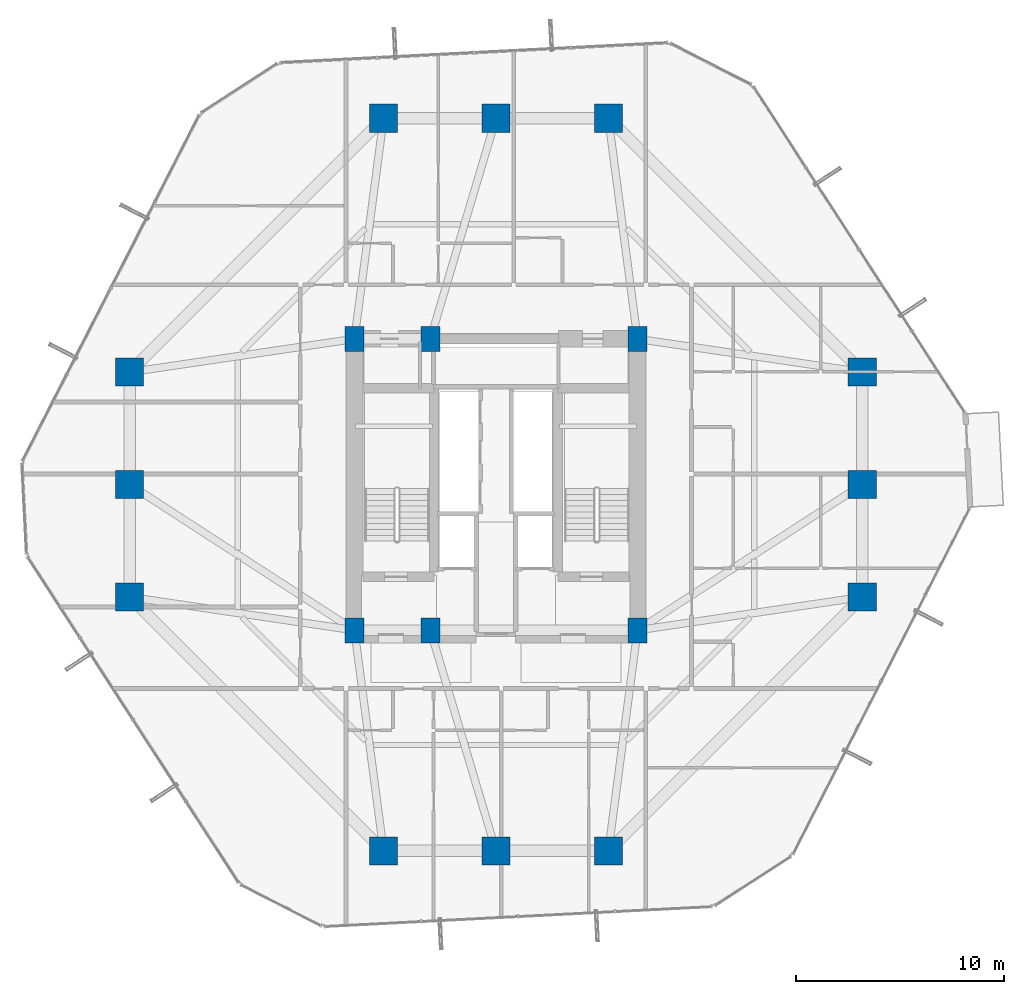
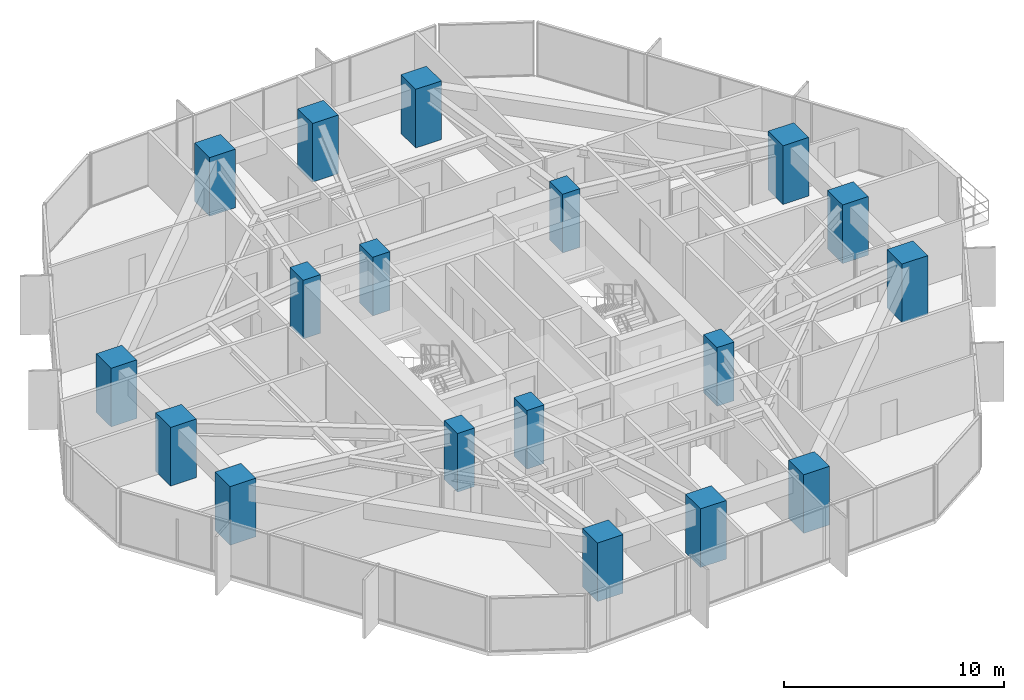
# One storey, part 1 of 37: 18 columns.
"""IFC4 building model written with IfcOpenShell, lengths in metres."""

import ifcopenshell
import ifcopenshell.guid

model = None  # the IFC model being written
_history = None  # IfcOwnerHistory: only IFC2X3 demands one
_inside = {}  # id of a spatial element -> (the spatial element, [elements in it])
_under = {}  # id of a project, library or spatial element -> (it, [spatial elements below it])
_declared = {}  # id of a project -> (the project, [libraries it declares])
_typed = {}  # id of a type object -> (the type object, [elements of that type])
_made_of = {}  # id of a material, layer set ... -> (it, [elements and type objects made of it])


def new_model(schema):
    """Start an empty IFC model of exactly this schema.

    Asked for "IFC4X3", IfcOpenShell would pick the latest addendum, in which some entities
    have other attributes; the version numbers below select the first issue.
    IFC2X3 requires an IfcOwnerHistory on every rooted entity: one is made here for all.
    """
    global model, _history
    if schema == "IFC4X3":
        model = ifcopenshell.file(schema_version=(4, 3, 0, 0))
    else:
        model = ifcopenshell.file(schema=schema)
    _inside.clear()
    _under.clear()
    _declared.clear()
    _typed.clear()
    _made_of.clear()
    _history = None
    if model.schema == "IFC2X3":
        org = make("IfcOrganization", Name="unknown")
        user = make(
            "IfcPersonAndOrganization",
            ThePerson=make("IfcPerson", FamilyName="unknown"),
            TheOrganization=org,
        )
        app = make(
            "IfcApplication",
            ApplicationDeveloper=org,
            Version="unknown",
            ApplicationFullName="unknown",
            ApplicationIdentifier="unknown",
        )
        _history = make(
            "IfcOwnerHistory",
            OwningUser=user,
            OwningApplication=app,
            ChangeAction="ADDED",
            CreationDate=0,
        )
    return model


def make(cls, **values):
    """One entity of the class cls with the attributes given. An attribute that is None is left unset."""
    return model.create_entity(
        cls, **{name: value for name, value in values.items() if value is not None}
    )


def rooted(cls, **values):
    """An entity with a GlobalId (a new one), such as an element, a storey or a relation."""
    return make(cls, GlobalId=ifcopenshell.guid.new(), OwnerHistory=_history, **values)


def si_unit(unit_type, name, prefix=None):
    """IfcSIUnit, for example si_unit("LENGTHUNIT", "METRE", prefix="MILLI")."""
    return make("IfcSIUnit", UnitType=unit_type, Prefix=prefix, Name=name)


def assignment(units):
    """IfcUnitAssignment: the units of a project."""
    return None if units is None else make("IfcUnitAssignment", Units=units)


def point(xyz):
    """IfcCartesianPoint."""
    return None if xyz is None else make("IfcCartesianPoint", Coordinates=xyz)


def direction(xyz):
    """IfcDirection."""
    return None if xyz is None else make("IfcDirection", DirectionRatios=xyz)


def frame(location, z_axis=None, x_axis=None):
    """IfcAxis2Placement3D, a coordinate frame: its origin and axes. An axis left out is left unset."""
    return make(
        "IfcAxis2Placement3D",
        Location=point(location),
        Axis=direction(z_axis),
        RefDirection=direction(x_axis),
    )


def frame_2d(location, x_axis=None):
    """IfcAxis2Placement2D, a coordinate frame in the plane: its origin and x axis."""
    return make(
        "IfcAxis2Placement2D", Location=point(location), RefDirection=direction(x_axis)
    )


def origin():
    """The frame at (0, 0, 0) with its axes left unset."""
    return frame((0.0, 0.0, 0.0))


def origin_2d():
    """The frame at (0, 0) in the plane with its x axis left unset."""
    return frame_2d((0.0, 0.0))


def place(relative_to, where):
    """IfcLocalPlacement: puts the frame where relative to a parent placement (None: the world)."""
    return make(
        "IfcLocalPlacement", PlacementRelTo=relative_to, RelativePlacement=where
    )


def context(
    kind, dimensions, precision=None, world=None, true_north=None, identifier=None
):
    """IfcGeometricRepresentationContext, for example the 3D "Model" context."""
    return make(
        "IfcGeometricRepresentationContext",
        ContextIdentifier=identifier,
        ContextType=kind,
        CoordinateSpaceDimension=dimensions,
        Precision=precision,
        WorldCoordinateSystem=world,
        TrueNorth=true_north,
    )


def subcontext(parent, identifier, kind, view, scale=None):
    """IfcGeometricRepresentationSubContext, for example "Body" below "Model"."""
    return make(
        "IfcGeometricRepresentationSubContext",
        ContextIdentifier=identifier,
        ContextType=kind,
        ParentContext=parent,
        TargetScale=scale,
        TargetView=view,
    )


def project(units=None, contexts=None):
    """IfcProject with its units and contexts."""
    return rooted(
        "IfcProject",
        Name="project",
        RepresentationContexts=contexts,
        UnitsInContext=assignment(units),
    )


def spatial(cls, under=None, at=None, **own):
    """A site, building, storey or space (cls), placed at a placement, below another one or the project."""
    s = rooted(cls, ObjectPlacement=at, **own)
    if under is not None:
        _under.setdefault(under.id(), (under, []))[1].append(s)
    return s


def profile(cls, at=None, kind="AREA", **sizes):
    """A parametric profile (cls). Its sizes go by their IFC names, for example OverallWidth=200.0."""
    return make(cls, ProfileType=kind, Position=at, **sizes)


def rectangle(**sizes):
    """IfcRectangleProfileDef."""
    return profile("IfcRectangleProfileDef", **sizes)


def extrude(swept, where, along, depth):
    """IfcExtrudedAreaSolid: the profile swept, set in the frame where, extruded along a direction by depth."""
    return make(
        "IfcExtrudedAreaSolid",
        SweptArea=swept,
        Position=where,
        ExtrudedDirection=direction(along),
        Depth=depth,
    )


def shape(context_of_items, identifier, shape_type, items):
    """IfcShapeRepresentation: the items that make up one representation, for example the "Body"."""
    return make(
        "IfcShapeRepresentation",
        ContextOfItems=context_of_items,
        RepresentationIdentifier=identifier,
        RepresentationType=shape_type,
        Items=items,
    )


def material(Name=None, Category=None):
    """IfcMaterial."""
    return make("IfcMaterial", Name=Name, Category=Category)


def material_profile(
    of_material, cross_section, Name=None, Category=None, Priority=None
):
    """IfcMaterialProfile: a cross section and its material."""
    return make(
        "IfcMaterialProfile",
        Name=Name,
        Material=of_material,
        Profile=cross_section,
        Priority=Priority,
        Category=Category,
    )


def profile_set(profiles, Name=None, composite=None):
    """IfcMaterialProfileSet."""
    return make(
        "IfcMaterialProfileSet",
        Name=Name,
        MaterialProfiles=profiles,
        CompositeProfile=composite,
    )


def made_of(thing, what):
    """Note that an element or type object is made of a material, layer set ...; save() writes the relation."""
    if what is not None:
        _made_of.setdefault(what.id(), (what, []))[1].append(thing)
    return thing


def type_object(cls, material=None, **own):
    """A type object (cls), such as IfcWallType, which elements share."""
    return made_of(rooted(cls, **own), material)


def element(
    cls,
    number,
    at=None,
    inside=None,
    cuts=None,
    type_object=None,
    material=None,
    context=None,
    identifier="Body",
    shape_type=None,
    held_by="IfcProductDefinitionShape",
    body=None,
    shapes=None,
    **own,
):
    """One element of the class cls, such as IfcWall. Its Tag is "e" and its number.

    at: its placement. inside: the storey or other place that contains it. cuts: it is an
    opening in that element (IfcRelVoidsElement). A single representation is given by context,
    identifier, shape_type and body (its items); several are given by shapes. held_by: the class
    of the entity that holds the representations. save() writes the other relations.
    """
    e = rooted(cls, Tag="e%d" % number, ObjectPlacement=at, **own)
    if body is not None:
        shapes = [shape(context, identifier, shape_type, body)]
    if shapes is not None:
        e.Representation = make(held_by, Representations=shapes)
    if inside is not None:
        _inside.setdefault(inside.id(), (inside, []))[1].append(e)
    if cuts is not None:
        rooted(
            "IfcRelVoidsElement", RelatingBuildingElement=cuts, RelatedOpeningElement=e
        )
    if type_object is not None:
        _typed.setdefault(type_object.id(), (type_object, []))[1].append(e)
    return made_of(e, material)


def aggregate(whole, parts):
    """IfcRelAggregates: a whole, such as a stair, and the parts it consists of."""
    return rooted("IfcRelAggregates", RelatingObject=whole, RelatedObjects=parts)


def save(model, path):
    """Write the relations noted so far, then the file.

    IfcRelAggregates (storeys below a building ...), IfcRelContainedInSpatialStructure (elements
    in a storey), IfcRelDefinesByType, IfcRelAssociatesMaterial and IfcRelDeclares: one each for
    every whole, place, type object, material and project.
    """
    for whole, parts in _under.values():
        aggregate(whole, parts)
    for where, things in _inside.values():
        rooted(
            "IfcRelContainedInSpatialStructure",
            RelatedElements=things,
            RelatingStructure=where,
        )
    for kind, things in _typed.values():
        rooted("IfcRelDefinesByType", RelatedObjects=things, RelatingType=kind)
    for what, things in _made_of.values():
        rooted("IfcRelAssociatesMaterial", RelatedObjects=things, RelatingMaterial=what)
    for by, libraries in _declared.values():
        rooted("IfcRelDeclares", RelatingContext=by, RelatedDefinitions=libraries)
    model.write(path)


model = new_model("IFC4")

# Units and contexts
model_context = context("Model", 3, precision=1e-05, world=origin(), true_north=direction((0.0, 1.0)))
body_context = subcontext(model_context, "Body", "Model", "MODEL_VIEW")
ifc_project = project(units=[si_unit("LENGTHUNIT", "METRE"), si_unit("AREAUNIT", "SQUARE_METRE"), si_unit("VOLUMEUNIT", "CUBIC_METRE"), si_unit("PLANEANGLEUNIT", "RADIAN"), si_unit("MASSUNIT", "GRAM", prefix="KILO")], contexts=[model_context])

# Site, building, storey
site_placement = place(None, origin())
site = spatial("IfcSite", under=ifc_project, at=site_placement, CompositionType="ELEMENT")
building_placement = place(site_placement, origin())
building = spatial("IfcBuilding", under=site, at=building_placement, Name="Veraguas Prism Commons", CompositionType="ELEMENT")
storey_placement = place(building_placement, frame((0.0, 0.0, 33.800048828125)))
storey = spatial("IfcBuildingStorey", under=building, at=storey_placement, Name="L08", CompositionType="ELEMENT", Elevation=33.800048828125)

# Columns
ifc_material = material(Name="Concrete C60/75", Category="concrete")
ifc_material_profile_1 = material_profile(ifc_material, rectangle(XDim=1.35009765625, YDim=1.35009765625, at=origin_2d()), Name="RC1350X1350")
ifc_profile_set_1 = profile_set([ifc_material_profile_1], Name="Concrete C60/75")
column_type_1 = type_object("IfcColumnType", Name="Column Tube Z1 RC 1350x1350", PredefinedType="COLUMN", material=ifc_profile_set_1)
for number, where, z_axis, x_axis, name in (
    (1, (41.60009765625, 18.60009765625, 0.0), (0.0, 0.0, 1.0), (1.0, 0.0, 0.0), "Tower Perimeter Column L08-TB01"),
    (2, (41.60009765625, 24.0, 0.0), (0.0, 0.0, 1.0), (1.0, 0.0, 0.0), "Tower Perimeter Column L08-TB02"),
    (3, (41.60009765625, 29.39990234375, 0.0), (0.0, 0.0, 1.0), (1.0, 0.0, 0.0), "Tower Perimeter Column L08-TB03"),
    (4, (29.39990234375, 41.60009765625, 0.0), (0.0, 0.0, 1.0), (1.0, 0.0, 0.0), "Tower Perimeter Column L08-TB04"),
    (5, (24.0, 41.60009765625, 0.0), (0.0, 0.0, 1.0), (1.0, 0.0, 0.0), "Tower Perimeter Column L08-TB05"),
    (6, (18.60009765625, 41.60009765625, 0.0), (0.0, 0.0, 1.0), (1.0, 0.0, 0.0), "Tower Perimeter Column L08-TB06"),
    (7, (6.39990234375, 29.39990234375, 0.0), (0.0, 0.0, 1.0), (1.0, 0.0, 0.0), "Tower Perimeter Column L08-TB07"),
    (8, (6.39990234375, 24.0, 0.0), (0.0, 0.0, 1.0), (1.0, 0.0, 0.0), "Tower Perimeter Column L08-TB08"),
    (9, (6.39990234375, 18.60009765625, 0.0), (0.0, 0.0, 1.0), (1.0, 0.0, 0.0), "Tower Perimeter Column L08-TB09"),
    (10, (18.60009765625, 6.39990234375, 0.0), (0.0, 0.0, 1.0), (1.0, 0.0, 0.0), "Tower Perimeter Column L08-TB10"),
    (11, (24.0, 6.39990234375, 0.0), (0.0, 0.0, 1.0), (1.0, 0.0, 0.0), "Tower Perimeter Column L08-TB11"),
    (12, (29.39990234375, 6.39990234375, 0.0), (0.0, 0.0, 1.0), (1.0, 0.0, 0.0), "Tower Perimeter Column L08-TB12"),
):
    element("IfcColumn", number, at=place(storey_placement, frame(where, z_axis=z_axis, x_axis=x_axis)), inside=storey, type_object=column_type_1, Name=name, PredefinedType="COLUMN", context=body_context, shape_type="SweptSolid", body=[
        extrude(rectangle(XDim=1.35009765625, YDim=1.35009765625, at=origin_2d()), origin(), (0.0, 0.0, 1.0), 3.25),
    ])
ifc_material_profile_2 = material_profile(ifc_material, rectangle(XDim=0.89990234375, YDim=1.199951171875, at=origin_2d()), Name="RC900X1200")
ifc_profile_set_2 = profile_set([ifc_material_profile_2], Name="Concrete C60/75")
column_type_2 = type_object("IfcColumnType", Name="Pilaster Core Lower RC 900x1200", PredefinedType="PILASTER", material=ifc_profile_set_2)
for number, where, z_axis, x_axis, name in (
    (13, (17.199951171875, 17.0, 0.0), (0.0, 0.0, 1.0), (1.0, 0.0, 0.0), "Core Pilaster Column L08-CR1"),
    (14, (20.85009765625, 17.0, 0.0), (0.0, 0.0, 1.0), (1.0, 0.0, 0.0), "Core Pilaster Column L08-CR2"),
    (15, (30.800048828125, 17.0, 0.0), (0.0, 0.0, 1.0), (1.0, 0.0, 0.0), "Core Pilaster Column L08-CR3"),
    (16, (17.199951171875, 31.0, 0.0), (0.0, 0.0, 1.0), (1.0, 0.0, 0.0), "Core Pilaster Column L08-CR4"),
    (17, (20.85009765625, 31.0, 0.0), (0.0, 0.0, 1.0), (1.0, 0.0, 0.0), "Core Pilaster Column L08-CR5"),
    (18, (30.800048828125, 31.0, 0.0), (0.0, 0.0, 1.0), (1.0, 0.0, 0.0), "Core Pilaster Column L08-CR6"),
):
    element("IfcColumn", number, at=place(storey_placement, frame(where, z_axis=z_axis, x_axis=x_axis)), inside=storey, type_object=column_type_2, Name=name, PredefinedType="PILASTER", context=body_context, shape_type="SweptSolid", body=[
        extrude(rectangle(XDim=0.89990234375, YDim=1.199951171875, at=origin_2d()), origin(), (0.0, 0.0, 1.0), 3.25),
    ])

save(model, "model.ifc")
